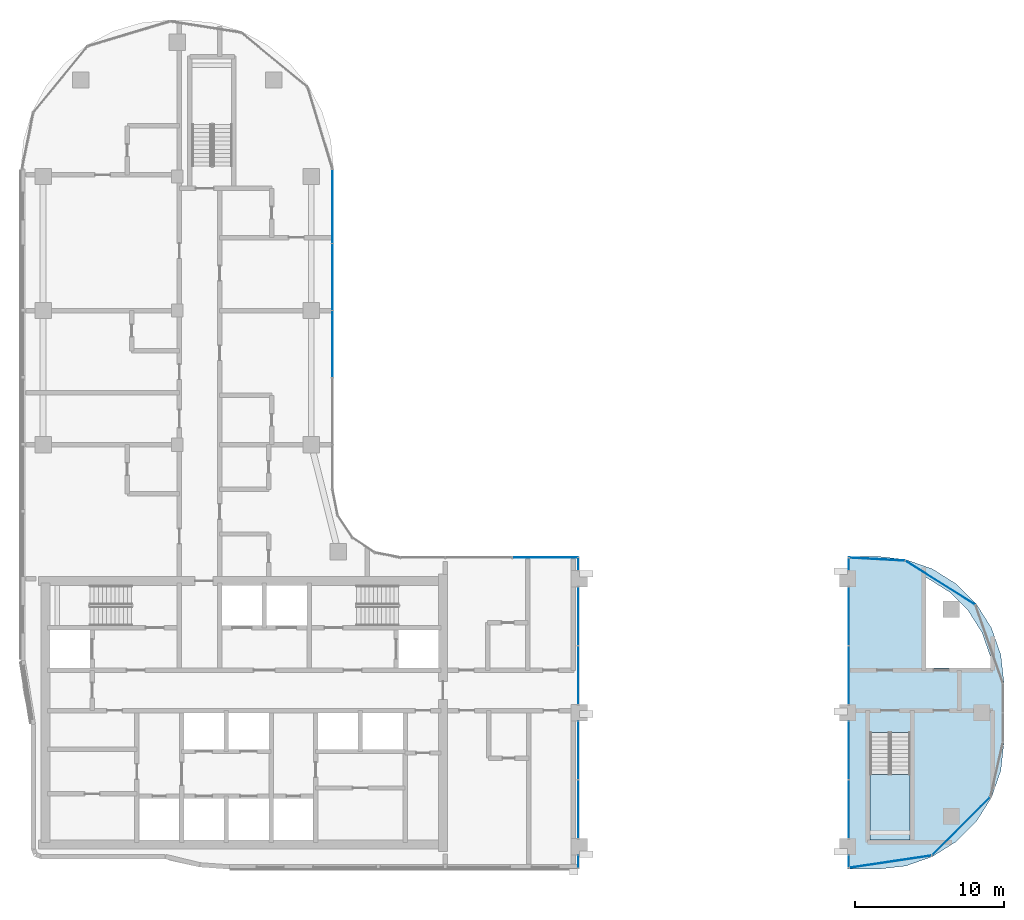
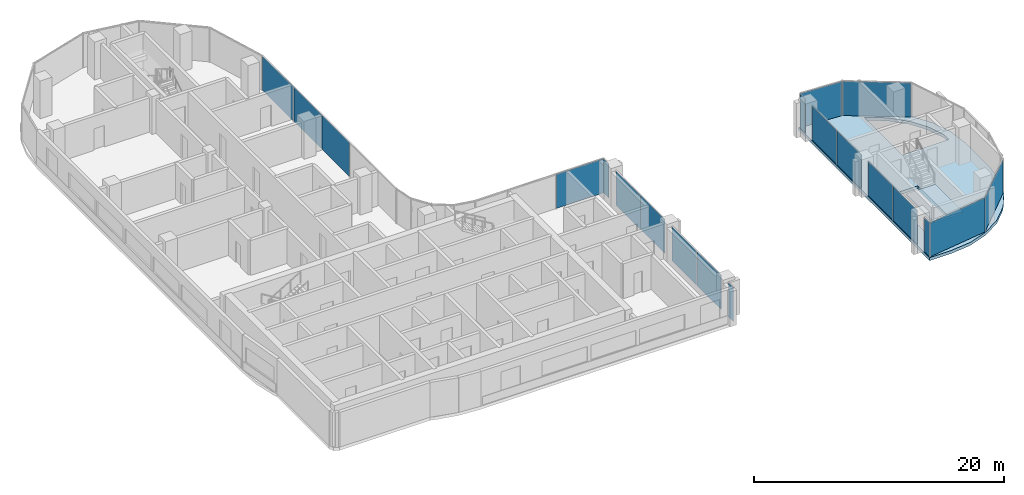
# One storey, part 8 of 23: 20 plates, 2 slabs, 13 elements without a shape of their own.
"""IFC4 building model written with IfcOpenShell, lengths in metres."""

from ifc_helpers import new_model, si_unit, direction, frame, origin, origin_2d, place, context, subcontext, project, spatial, polyline, rectangle, outline, extrude, material, layer, layer_set, type_object, element, aggregate, save


model = new_model("IFC4")

# Units and contexts
model_context = context("Model", 3, precision=1e-05, world=origin(), true_north=direction((0.0, 1.0)))
body_context = subcontext(model_context, "Body", "Model", "MODEL_VIEW")
ifc_project = project(units=[si_unit("LENGTHUNIT", "METRE"), si_unit("AREAUNIT", "SQUARE_METRE"), si_unit("VOLUMEUNIT", "CUBIC_METRE"), si_unit("PLANEANGLEUNIT", "RADIAN"), si_unit("MASSUNIT", "GRAM", prefix="KILO")], contexts=[model_context])

# Site, building, storey
site_placement = place(None, origin())
site = spatial("IfcSite", under=ifc_project, at=site_placement, CompositionType="ELEMENT")
building_placement = place(site_placement, origin())
building = spatial("IfcBuilding", under=site, at=building_placement, Name="Ogive Portal Towers", CompositionType="ELEMENT")
storey_placement = place(building_placement, frame((0.0, 0.0, 149.60009765625)))
storey = spatial("IfcBuildingStorey", under=building, at=storey_placement, Name="L36", CompositionType="ELEMENT", Elevation=149.60009765625)

# Curtain wall, plate
ifc_material_1 = material(Name="Glass, clear low-iron insulated glazing", Category="glass")
curtain_wall_type_1 = type_object("IfcCurtainWallType", Name="CW PORTAL REVEAL", PredefinedType="NOTDEFINED", material=ifc_material_1)
curtain_wall_1_placement = place(storey_placement, origin())
curtain_wall_1 = element("IfcCurtainWall", 1, at=curtain_wall_1_placement, inside=storey, type_object=curtain_wall_type_1, Name="A:L36:f07:cw0~0", PredefinedType="NOTDEFINED")
ifc_layer_1 = layer(ifc_material_1, 0.028076171875)
ifc_layer_set_1 = layer_set([ifc_layer_1], Name="CW PANEL IGU 28")
plate_type = type_object("IfcPlateType", Name="CW PANEL IGU 28", PredefinedType="CURTAIN_PANEL", material=ifc_layer_set_1)
plate_1_placement = place(storey_placement, frame((67.419921875, 20.514892578125, 0.0), z_axis=(0.0, 0.0, 1.0), x_axis=(0.0, 1.0, 0.0)))
plate_1 = element("IfcPlate", 2, at=plate_1_placement, type_object=plate_type, Name="panel", PredefinedType="CURTAIN_PANEL", context=body_context, shape_type="SweptSolid", body=[
    extrude(rectangle(XDim=0.81005859375, YDim=0.028076171875, at=origin_2d()), origin(), (0.0, 0.0, 1.0), 3.340087890625),
])
aggregate(curtain_wall_1, [plate_1])

# Curtain wall, plates
curtain_wall_2_placement = place(storey_placement, origin())
curtain_wall_2 = element("IfcCurtainWall", 3, at=curtain_wall_2_placement, inside=storey, type_object=curtain_wall_type_1, Name="A:L36:f07:cw0~1", PredefinedType="NOTDEFINED")
plate_2_placement = place(storey_placement, frame((67.419921875, 24.02490234375, 0.0), z_axis=(0.0, 0.0, 1.0), x_axis=(0.0, 1.0, 0.0)))
plate_2 = element("IfcPlate", 4, at=plate_2_placement, type_object=plate_type, Name="panel", PredefinedType="CURTAIN_PANEL", context=body_context, shape_type="SweptSolid", body=[
    extrude(rectangle(XDim=3.889892578125, YDim=0.028076171875, at=origin_2d()), origin(), (0.0, 0.0, 1.0), 3.340087890625),
])
plate_3_placement = place(storey_placement, frame((67.419921875, 27.97509765625, 0.0), z_axis=(0.0, 0.0, 1.0), x_axis=(0.0, 1.0, 0.0)))
plate_3 = element("IfcPlate", 5, at=plate_3_placement, type_object=plate_type, Name="panel", PredefinedType="CURTAIN_PANEL", context=body_context, shape_type="SweptSolid", body=[
    extrude(rectangle(XDim=3.889892578125, YDim=0.028076171875, at=origin_2d()), origin(), (0.0, 0.0, 1.0), 3.340087890625),
])
aggregate(curtain_wall_2, [plate_2, plate_3])

curtain_wall_3_placement = place(storey_placement, origin())
curtain_wall_3 = element("IfcCurtainWall", 6, at=curtain_wall_3_placement, inside=storey, type_object=curtain_wall_type_1, Name="A:L36:f07:cw0~2", PredefinedType="NOTDEFINED")
plate_4_placement = place(storey_placement, frame((67.419921875, 33.02490234375, 0.0), z_axis=(0.0, 0.0, 1.0), x_axis=(0.0, 1.0, 0.0)))
plate_4 = element("IfcPlate", 7, at=plate_4_placement, type_object=plate_type, Name="panel", PredefinedType="CURTAIN_PANEL", context=body_context, shape_type="SweptSolid", body=[
    extrude(rectangle(XDim=3.889892578125, YDim=0.028076171875, at=origin_2d()), origin(), (0.0, 0.0, 1.0), 3.340087890625),
])
plate_5_placement = place(storey_placement, frame((67.419921875, 36.97509765625, 0.0), z_axis=(0.0, 0.0, 1.0), x_axis=(0.0, 1.0, 0.0)))
plate_5 = element("IfcPlate", 8, at=plate_5_placement, type_object=plate_type, Name="panel", PredefinedType="CURTAIN_PANEL", context=body_context, shape_type="SweptSolid", body=[
    extrude(rectangle(XDim=3.889892578125, YDim=0.028076171875, at=origin_2d()), origin(), (0.0, 0.0, 1.0), 3.340087890625),
])
aggregate(curtain_wall_3, [plate_4, plate_5])

# Curtain wall, plate
curtain_wall_4_placement = place(storey_placement, origin())
curtain_wall_4 = element("IfcCurtainWall", 9, at=curtain_wall_4_placement, inside=storey, type_object=curtain_wall_type_1, Name="A:L36:f07:cw0~3", PredefinedType="NOTDEFINED")
plate_6_placement = place(storey_placement, frame((67.419921875, 40.485107421875, 0.0), z_axis=(0.0, 0.0, 1.0), x_axis=(0.0, 1.0, 0.0)))
plate_6 = element("IfcPlate", 10, at=plate_6_placement, type_object=plate_type, Name="panel", PredefinedType="CURTAIN_PANEL", context=body_context, shape_type="SweptSolid", body=[
    extrude(rectangle(XDim=0.81005859375, YDim=0.028076171875, at=origin_2d()), origin(), (0.0, 0.0, 1.0), 3.340087890625),
])
aggregate(curtain_wall_4, [plate_6])

curtain_wall_type_2 = type_object("IfcCurtainWallType", Name="CW FRONT RIBBON 4500", PredefinedType="NOTDEFINED", material=ifc_material_1)
curtain_wall_5_placement = place(storey_placement, origin())
curtain_wall_5 = element("IfcCurtainWall", 11, at=curtain_wall_5_placement, inside=storey, type_object=curtain_wall_type_2, Name="A:L36:f08:cw0", PredefinedType="NOTDEFINED")
plate_7_placement = place(storey_placement, frame((65.2099609375, 40.919921875, 0.0), z_axis=(0.0, 0.0, 1.0), x_axis=(-1.0, 0.0, 0.0)))
plate_7 = element("IfcPlate", 12, at=plate_7_placement, type_object=plate_type, Name="panel", PredefinedType="CURTAIN_PANEL", context=body_context, shape_type="SweptSolid", body=[
    extrude(rectangle(XDim=4.360107421875, YDim=0.028076171875, at=origin_2d()), origin(), (0.0, 0.0, 1.0), 3.340087890625),
])
aggregate(curtain_wall_5, [plate_7])

# Curtain wall, plates
curtain_wall_6_placement = place(storey_placement, origin())
curtain_wall_6 = element("IfcCurtainWall", 13, at=curtain_wall_6_placement, inside=storey, type_object=curtain_wall_type_2, Name="A:L36:f13:cw0", PredefinedType="NOTDEFINED")
plate_8_placement = place(storey_placement, frame((50.919921875, 55.25, 0.0), z_axis=(0.0, 0.0, 1.0), x_axis=(0.0, 1.0, 0.0)))
plate_8 = element("IfcPlate", 14, at=plate_8_placement, type_object=plate_type, Name="panel", PredefinedType="CURTAIN_PANEL", context=body_context, shape_type="SweptSolid", body=[
    extrude(rectangle(XDim=4.43994140625, YDim=0.028076171875, at=origin_2d()), origin(), (0.0, 0.0, 1.0), 3.340087890625),
])
plate_9_placement = place(storey_placement, frame((50.919921875, 59.75, 0.0), z_axis=(0.0, 0.0, 1.0), x_axis=(0.0, 1.0, 0.0)))
plate_9 = element("IfcPlate", 15, at=plate_9_placement, type_object=plate_type, Name="panel", PredefinedType="CURTAIN_PANEL", context=body_context, shape_type="SweptSolid", body=[
    extrude(rectangle(XDim=4.43994140625, YDim=0.028076171875, at=origin_2d()), origin(), (0.0, 0.0, 1.0), 3.340087890625),
])
plate_10_placement = place(storey_placement, frame((50.919921875, 64.494140625, 0.0), z_axis=(0.0, 0.0, 1.0), x_axis=(0.0, 1.0, 0.0)))
plate_10 = element("IfcPlate", 16, at=plate_10_placement, type_object=plate_type, Name="panel", PredefinedType="CURTAIN_PANEL", context=body_context, shape_type="SweptSolid", body=[
    extrude(rectangle(XDim=4.92822265625, YDim=0.028076171875, at=origin_2d()), origin(), (0.0, 0.0, 1.0), 3.340087890625),
])
aggregate(curtain_wall_6, [plate_8, plate_9, plate_10])

# Curtain wall, plate
curtain_wall_7_placement = place(storey_placement, origin())
curtain_wall_7 = element("IfcCurtainWall", 17, at=curtain_wall_7_placement, inside=storey, type_object=curtain_wall_type_1, Name="A:L36:f22:cw0~0", PredefinedType="NOTDEFINED")
plate_11_placement = place(storey_placement, frame((85.580078125, 40.482666015625, 0.0), z_axis=(0.0, 0.0, 1.0), x_axis=(0.0, -1.0, 0.0)))
plate_11 = element("IfcPlate", 18, at=plate_11_placement, type_object=plate_type, Name="panel", PredefinedType="CURTAIN_PANEL", context=body_context, shape_type="SweptSolid", body=[
    extrude(rectangle(XDim=0.805419921875, YDim=0.028076171875, at=origin_2d()), origin(), (0.0, 0.0, 1.0), 3.340087890625),
])
aggregate(curtain_wall_7, [plate_11])

# Curtain wall, plates
curtain_wall_8_placement = place(storey_placement, origin())
curtain_wall_8 = element("IfcCurtainWall", 19, at=curtain_wall_8_placement, inside=storey, type_object=curtain_wall_type_1, Name="A:L36:f22:cw0~1", PredefinedType="NOTDEFINED")
plate_12_placement = place(storey_placement, frame((85.580078125, 36.97509765625, 0.0), z_axis=(0.0, 0.0, 1.0), x_axis=(0.0, -1.0, 0.0)))
plate_12 = element("IfcPlate", 20, at=plate_12_placement, type_object=plate_type, Name="panel", PredefinedType="CURTAIN_PANEL", context=body_context, shape_type="SweptSolid", body=[
    extrude(rectangle(XDim=3.889892578125, YDim=0.028076171875, at=origin_2d()), origin(), (0.0, 0.0, 1.0), 3.340087890625),
])
plate_13_placement = place(storey_placement, frame((85.580078125, 33.02490234375, 0.0), z_axis=(0.0, 0.0, 1.0), x_axis=(0.0, -1.0, 0.0)))
plate_13 = element("IfcPlate", 21, at=plate_13_placement, type_object=plate_type, Name="panel", PredefinedType="CURTAIN_PANEL", context=body_context, shape_type="SweptSolid", body=[
    extrude(rectangle(XDim=3.889892578125, YDim=0.028076171875, at=origin_2d()), origin(), (0.0, 0.0, 1.0), 3.340087890625),
])
aggregate(curtain_wall_8, [plate_12, plate_13])

curtain_wall_9_placement = place(storey_placement, origin())
curtain_wall_9 = element("IfcCurtainWall", 22, at=curtain_wall_9_placement, inside=storey, type_object=curtain_wall_type_1, Name="A:L36:f22:cw0~2", PredefinedType="NOTDEFINED")
plate_14_placement = place(storey_placement, frame((85.580078125, 27.97509765625, 0.0), z_axis=(0.0, 0.0, 1.0), x_axis=(0.0, -1.0, 0.0)))
plate_14 = element("IfcPlate", 23, at=plate_14_placement, type_object=plate_type, Name="panel", PredefinedType="CURTAIN_PANEL", context=body_context, shape_type="SweptSolid", body=[
    extrude(rectangle(XDim=3.889892578125, YDim=0.028076171875, at=origin_2d()), origin(), (0.0, 0.0, 1.0), 3.340087890625),
])
plate_15_placement = place(storey_placement, frame((85.580078125, 24.02490234375, 0.0), z_axis=(0.0, 0.0, 1.0), x_axis=(0.0, -1.0, 0.0)))
plate_15 = element("IfcPlate", 24, at=plate_15_placement, type_object=plate_type, Name="panel", PredefinedType="CURTAIN_PANEL", context=body_context, shape_type="SweptSolid", body=[
    extrude(rectangle(XDim=3.889892578125, YDim=0.028076171875, at=origin_2d()), origin(), (0.0, 0.0, 1.0), 3.340087890625),
])
aggregate(curtain_wall_9, [plate_14, plate_15])

# Curtain wall, plate
curtain_wall_10_placement = place(storey_placement, origin())
curtain_wall_10 = element("IfcCurtainWall", 25, at=curtain_wall_10_placement, inside=storey, type_object=curtain_wall_type_1, Name="A:L36:f22:cw0~3", PredefinedType="NOTDEFINED")
plate_16_placement = place(storey_placement, frame((85.580078125, 20.521240234375, 0.0), z_axis=(0.0, 0.0, 1.0), x_axis=(0.0, -1.0, 0.0)))
plate_16 = element("IfcPlate", 26, at=plate_16_placement, type_object=plate_type, Name="panel", PredefinedType="CURTAIN_PANEL", context=body_context, shape_type="SweptSolid", body=[
    extrude(rectangle(XDim=0.79736328125, YDim=0.028076171875, at=origin_2d()), origin(), (0.0, 0.0, 1.0), 3.340087890625),
])
aggregate(curtain_wall_10, [plate_16])

# Curtain wall, plates
curtain_wall_11_placement = place(storey_placement, origin())
curtain_wall_11 = element("IfcCurtainWall", 27, at=curtain_wall_11_placement, inside=storey, type_object=curtain_wall_type_2, Name="A:L36:f23:cwa", PredefinedType="NOTDEFINED")
plate_17_placement = place(storey_placement, frame((88.364990234375, 20.5048828125, 0.0), z_axis=(0.0, 0.0, 1.0), x_axis=(0.98922623649, 0.146394853187, 0.0)))
plate_17 = element("IfcPlate", 28, at=plate_17_placement, type_object=plate_type, Name="panel", PredefinedType="CURTAIN_PANEL", context=body_context, shape_type="SweptSolid", body=[
    extrude(rectangle(XDim=5.57080078125, YDim=0.028076171875, at=origin_2d()), origin(), (0.0, 0.0, 1.0), 3.340087890625),
])
plate_18_placement = place(storey_placement, frame((93.11767578125, 22.884765625, 0.0), z_axis=(0.0, 0.0, 1.0), x_axis=(0.707106781187, 0.707106781187, 0.0)))
plate_18 = element("IfcPlate", 29, at=plate_18_placement, type_object=plate_type, Name="panel", PredefinedType="CURTAIN_PANEL", context=body_context, shape_type="SweptSolid", body=[
    extrude(rectangle(XDim=5.50537109375, YDim=0.028076171875, at=origin_2d()), origin(), (0.0, 0.0, 1.0), 3.340087890625),
])
aggregate(curtain_wall_11, [plate_17, plate_18])

curtain_wall_12_placement = place(storey_placement, origin())
curtain_wall_12 = element("IfcCurtainWall", 30, at=curtain_wall_12_placement, inside=storey, type_object=curtain_wall_type_2, Name="A:L36:f27:cwa", PredefinedType="NOTDEFINED")
plate_19_placement = place(storey_placement, frame((91.722900390625, 39.2275390625, 0.0), z_axis=(0.0, 0.0, 1.0), x_axis=(-0.846724199227, 0.532032076517, 0.0)))
plate_19 = element("IfcPlate", 31, at=plate_19_placement, type_object=plate_type, Name="panel", PredefinedType="CURTAIN_PANEL", context=body_context, shape_type="SweptSolid", body=[
    extrude(rectangle(XDim=5.506103515625, YDim=0.028076171875, at=origin_2d()), origin(), (0.0, 0.0, 1.0), 3.340087890625),
])
plate_20_placement = place(storey_placement, frame((87.47314453125, 40.811767578125, 0.0), z_axis=(0.0, 0.0, 1.0), x_axis=(-0.998503780468, 0.05468272479, 0.0)))
plate_20 = element("IfcPlate", 32, at=plate_20_placement, type_object=plate_type, Name="panel", PredefinedType="CURTAIN_PANEL", context=body_context, shape_type="SweptSolid", body=[
    extrude(rectangle(XDim=3.732177734375, YDim=0.028076171875, at=origin_2d()), origin(), (0.0, 0.0, 1.0), 3.340087890625),
])
aggregate(curtain_wall_12, [plate_19, plate_20])

# Stair, slab
ifc_material_2 = material(Name="Concrete C40/50", Category="concrete")
stair_type = type_object("IfcStairType", Name="INT-STAIR", PredefinedType="HALF_TURN_STAIR", material=ifc_material_2)
stair_placement = place(storey_placement, origin())
stair = element("IfcStair", 33, at=stair_placement, inside=storey, type_object=stair_type, Name="L36 Exit Stair ST-A4", PredefinedType="HALF_TURN_STAIR")
ifc_layer_2 = layer(ifc_material_2, 0.199951171875)
ifc_layer_set_2 = layer_set([ifc_layer_2], Name="INT-LANDING")
slab_type_1 = type_object("IfcSlabType", Name="INT-LANDING", PredefinedType="LANDING", material=ifc_layer_set_2)
slab_1_placement = place(storey_placement, frame((0.0, 0.0, 1.64990234375)))
slab_1 = element("IfcSlab", 34, at=slab_1_placement, type_object=slab_type_1, Name="ST-A4 landing 1", PredefinedType="LANDING", context=body_context, shape_type="SweptSolid", body=[
    extrude(outline(polyline([(87.0, 26.3701171875), (87.0, 21.949951171875), (89.699951171875, 21.949951171875), (89.699951171875, 26.3701171875), (87.0, 26.3701171875)])), origin(), (0.0, 0.0, 1.0), 0.199951171875),
])
aggregate(stair, [slab_1])

# Slab
ifc_material_3 = material(Name="Concrete C45/55", Category="concrete")
ifc_layer_3 = layer(ifc_material_3, 0.300048828125)
ifc_layer_set_3 = layer_set([ifc_layer_3], Name="PT FLAT PLATE 300")
slab_type_2 = type_object("IfcSlabType", Name="PT FLAT PLATE 300", PredefinedType="FLOOR", material=ifc_layer_set_3)
slab_2_placement = place(storey_placement, frame((0.0, 0.0, -0.300048828125)))
element("IfcSlab", 35, at=slab_2_placement, inside=storey, type_object=slab_type_2, Name="Floor slab L36", PredefinedType="FLOOR", context=body_context, shape_type="SweptSolid", body=[
    extrude(outline(polyline([(89.391357421875, 40.786865234375), (87.5, 41.0), (85.5, 41.0), (85.5, 20.0), (87.5, 20.0), (89.391357421875, 20.213134765625), (91.18798828125, 20.841796875), (92.7998046875, 21.8544921875), (94.1455078125, 23.2001953125), (95.158203125, 24.81201171875), (95.786865234375, 26.608642578125), (96.0, 28.5), (96.0, 32.5), (95.786865234375, 34.391357421875), (95.158203125, 36.18798828125), (94.1455078125, 37.7998046875), (92.7998046875, 39.1455078125), (91.18798828125, 40.158203125), (89.391357421875, 40.786865234375)]), holes=[polyline([(87.001953125, 21.951904296875), (87.001953125, 29.16796875), (89.697998046875, 29.16796875), (89.697998046875, 21.951904296875), (87.001953125, 21.951904296875)]), polyline([(93.5947265625, 37.360595703125), (94.523681640625, 35.88232421875), (95.080078125, 34.292236328125), (95.080078125, 33.52001953125), (90.77001953125, 33.52001953125), (90.77001953125, 39.56298828125), (90.88232421875, 39.523681640625), (92.360595703125, 38.5947265625), (93.5947265625, 37.360595703125)])]), origin(), (0.0, 0.0, 1.0), 0.300048828125),
])

save(model, "model.ifc")
